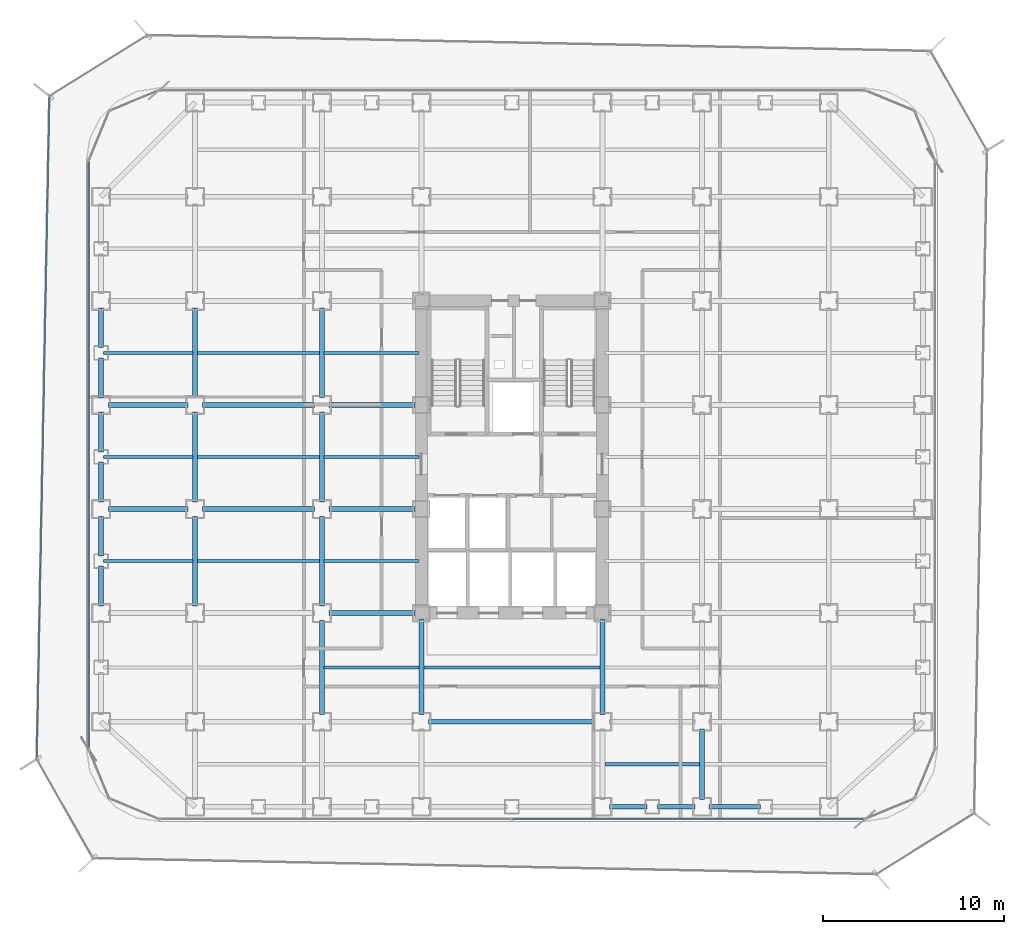
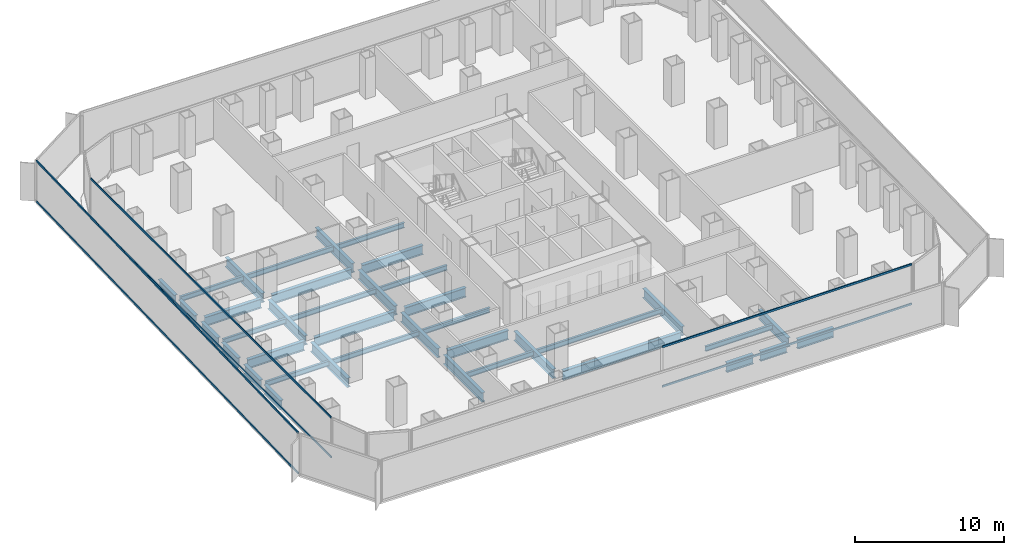
# One storey, part 5 of 21: 39 beams, 6 members, 3 elements without a shape of their own.
"""IFC4 building model written with IfcOpenShell, lengths in metres."""

from ifc_helpers import new_model, si_unit, direction, frame, origin, origin_2d, place, context, subcontext, project, spatial, hollow_rectangle, i_section, extrude, source, transform, mapped, material, layer, layer_set, material_profile, profile_set, type_object, element, aggregate, save


model = new_model("IFC4")

# Units and contexts
model_context = context("Model", 3, precision=1e-05, world=origin(), true_north=direction((0.0, 1.0)))
body_context = subcontext(model_context, "Body", "Model", "MODEL_VIEW")
ifc_project = project(units=[si_unit("LENGTHUNIT", "METRE"), si_unit("AREAUNIT", "SQUARE_METRE"), si_unit("VOLUMEUNIT", "CUBIC_METRE"), si_unit("PLANEANGLEUNIT", "RADIAN"), si_unit("MASSUNIT", "GRAM", prefix="KILO")], contexts=[model_context])

# Site, building, storey
site_placement = place(None, origin())
site = spatial("IfcSite", under=ifc_project, at=site_placement, CompositionType="ELEMENT")
building_placement = place(site_placement, origin())
building = spatial("IfcBuilding", under=site, at=building_placement, Name="Kolveth Station Tower", CompositionType="ELEMENT")
storey_placement = place(building_placement, frame((0.0, 0.0, 62.10009765625)))
storey = spatial("IfcBuildingStorey", under=building, at=storey_placement, Name="L16", CompositionType="ELEMENT", Elevation=62.10009765625)

# Beams
ifc_material_1 = material(Name="Steel S355", Category="steel")
ifc_material_profile_1 = material_profile(ifc_material_1, i_section(OverallWidth=0.26904296875, OverallDepth=0.77490234375, WebThickness=0.01708984375, FlangeThickness=0.0283203125, at=origin_2d()), Name="W760x220")
ifc_profile_set_1 = profile_set([ifc_material_profile_1], Name="Steel S355")
beam_type_1 = type_object("IfcBeamType", Name="Beam_SP1", PredefinedType="SPANDREL", material=ifc_profile_set_1)
shared_shape_1 = source(origin(), body_context, "Body", "SweptSolid", [
    extrude(i_section(OverallWidth=0.26904296875, OverallDepth=0.77490234375, WebThickness=0.01708984375, FlangeThickness=0.0283203125, at=origin_2d()), origin(), (0.0, 0.0, 1.0), 2.820068359375),
])
beam_1_placement = place(storey_placement, frame((34.39990234375, 0.800048828125, -0.66748046875), z_axis=(1.0, 0.0, 0.0), x_axis=(0.0, 1.0, 0.0)))
element("IfcBeam", 1, at=beam_1_placement, inside=storey, type_object=beam_type_1, Name="L16 Perimeter Spandrel BM-L16-PS-9", PredefinedType="SPANDREL", context=body_context, shape_type="MappedRepresentation", body=[
    mapped(shared_shape_1, transform((0.0, 0.0, 0.0), x_axis=(1.0, 0.0, 0.0), y_axis=(0.0, 1.0, 0.0), z_axis=(0.0, 0.0, 1.0), scale=1.0)),
])
shared_shape_2 = source(origin(), body_context, "Body", "SweptSolid", [
    extrude(i_section(OverallWidth=0.26904296875, OverallDepth=0.77490234375, WebThickness=0.01708984375, FlangeThickness=0.0283203125, at=origin_2d()), origin(), (0.0, 0.0, 1.0), 2.070068359375),
])
for number, where, z_axis, x_axis, name in (
    (2, (28.89990234375, 0.800048828125, -0.66748046875), (1.0, 0.0, 0.0), (0.0, 1.0, 0.0), "L16 Perimeter Spandrel BM-L16-PS-7"),
    (3, (31.530029296875, 0.800048828125, -0.66748046875), (1.0, 0.0, 0.0), (0.0, 1.0, 0.0), "L16 Perimeter Spandrel BM-L16-PS-8"),
):
    element("IfcBeam", number, at=place(storey_placement, frame(where, z_axis=z_axis, x_axis=x_axis)), inside=storey, type_object=beam_type_1, Name=name, PredefinedType="SPANDREL", context=body_context, shape_type="MappedRepresentation", body=[
        mapped(shared_shape_2, transform((0.0, 0.0, 0.0), x_axis=(1.0, 0.0, 0.0), y_axis=(0.0, 1.0, 0.0), z_axis=(0.0, 0.0, 1.0), scale=1.0)),
    ])
shared_shape_3 = source(origin(), body_context, "Body", "SweptSolid", [
    extrude(i_section(OverallWidth=0.26904296875, OverallDepth=0.77490234375, WebThickness=0.01708984375, FlangeThickness=0.0283203125, at=origin_2d()), origin(), (0.0, 0.0, 1.0), 2.2001953125),
])
for number, where, z_axis, x_axis, name in (
    (4, (0.800048828125, 11.89990234375, -0.66748046875), (0.0, 1.0, 0.0), (-1.0, 0.0, 0.0), "L16 Perimeter Spandrel BM-L16-PW-3"),
    (5, (0.800048828125, 20.39990234375, -0.66748046875), (0.0, 1.0, 0.0), (-1.0, 0.0, 0.0), "L16 Perimeter Spandrel BM-L16-PW-6"),
    (6, (0.800048828125, 23.39990234375, -0.66748046875), (0.0, 1.0, 0.0), (-1.0, 0.0, 0.0), "L16 Perimeter Spandrel BM-L16-PW-7"),
):
    element("IfcBeam", number, at=place(storey_placement, frame(where, z_axis=z_axis, x_axis=x_axis)), inside=storey, type_object=beam_type_1, Name=name, PredefinedType="SPANDREL", context=body_context, shape_type="MappedRepresentation", body=[
        mapped(shared_shape_3, transform((0.0, 0.0, 0.0), x_axis=(1.0, 0.0, 0.0), y_axis=(0.0, 1.0, 0.0), z_axis=(0.0, 0.0, 1.0), scale=1.0)),
    ])
shared_shape_4 = source(origin(), body_context, "Body", "SweptSolid", [
    extrude(i_section(OverallWidth=0.26904296875, OverallDepth=0.77490234375, WebThickness=0.01708984375, FlangeThickness=0.0283203125, at=origin_2d()), origin(), (0.0, 0.0, 1.0), 2.190185546875),
])
for number, where, z_axis, x_axis, name in (
    (7, (0.800048828125, 14.659912109375, -0.66748046875), (0.0, 1.0, 0.0), (-1.0, 0.0, 0.0), "L16 Perimeter Spandrel BM-L16-PW-4"),
    (8, (0.800048828125, 17.64990234375, -0.66748046875), (0.0, 1.0, 0.0), (-1.0, 0.0, 0.0), "L16 Perimeter Spandrel BM-L16-PW-5"),
    (9, (0.800048828125, 26.159912109375, -0.66748046875), (0.0, 1.0, 0.0), (-1.0, 0.0, 0.0), "L16 Perimeter Spandrel BM-L16-PW-8"),
):
    element("IfcBeam", number, at=place(storey_placement, frame(where, z_axis=z_axis, x_axis=x_axis)), inside=storey, type_object=beam_type_1, Name=name, PredefinedType="SPANDREL", context=body_context, shape_type="MappedRepresentation", body=[
        mapped(shared_shape_4, transform((0.0, 0.0, 0.0), x_axis=(1.0, 0.0, 0.0), y_axis=(0.0, 1.0, 0.0), z_axis=(0.0, 0.0, 1.0), scale=1.0)),
    ])
ifc_material_profile_2 = material_profile(ifc_material_1, i_section(OverallWidth=0.26708984375, OverallDepth=0.76611328125, WebThickness=0.014892578125, FlangeThickness=0.023681640625, at=origin_2d()), Name="W760x185")
ifc_profile_set_2 = profile_set([ifc_material_profile_2], Name="Steel S355")
beam_type_2 = type_object("IfcBeamType", Name="Beam_B3", PredefinedType="BEAM", material=ifc_profile_set_2)
shared_shape_5 = source(origin(), body_context, "Body", "SweptSolid", [
    extrude(i_section(OverallWidth=0.26708984375, OverallDepth=0.76611328125, WebThickness=0.014892578125, FlangeThickness=0.023681640625, at=origin_2d()), origin(), (0.0, 0.0, 1.0), 4.400146484375),
])
for number, where, z_axis, x_axis, name in (
    (10, (1.199951171875, 17.25, -0.6630859375), (1.0, 0.0, 0.0), (0.0, 1.0, 0.0), "L16 Primary Girder BM-L16-GY172-1"),
    (11, (1.199951171875, 23.0, -0.6630859375), (1.0, 0.0, 0.0), (0.0, 1.0, 0.0), "L16 Primary Girder BM-L16-GY230-1"),
):
    element("IfcBeam", number, at=place(storey_placement, frame(where, z_axis=z_axis, x_axis=x_axis)), inside=storey, type_object=beam_type_2, Name=name, PredefinedType="BEAM", context=body_context, shape_type="MappedRepresentation", body=[
        mapped(shared_shape_5, transform((0.0, 0.0, 0.0), x_axis=(1.0, 0.0, 0.0), y_axis=(0.0, 1.0, 0.0), z_axis=(0.0, 0.0, 1.0), scale=1.0)),
    ])
shared_shape_6 = source(origin(), body_context, "Body", "SweptSolid", [
    extrude(i_section(OverallWidth=0.26708984375, OverallDepth=0.76611328125, WebThickness=0.014892578125, FlangeThickness=0.023681640625, at=origin_2d()), origin(), (0.0, 0.0, 1.0), 6.2001953125),
])
for number, where, z_axis, x_axis, name in (
    (12, (6.39990234375, 17.25, -0.6630859375), (1.0, 0.0, 0.0), (0.0, 1.0, 0.0), "L16 Primary Girder BM-L16-GY172-2"),
    (13, (6.39990234375, 23.0, -0.6630859375), (1.0, 0.0, 0.0), (0.0, 1.0, 0.0), "L16 Primary Girder BM-L16-GY230-2"),
):
    element("IfcBeam", number, at=place(storey_placement, frame(where, z_axis=z_axis, x_axis=x_axis)), inside=storey, type_object=beam_type_2, Name=name, PredefinedType="BEAM", context=body_context, shape_type="MappedRepresentation", body=[
        mapped(shared_shape_6, transform((0.0, 0.0, 0.0), x_axis=(1.0, 0.0, 0.0), y_axis=(0.0, 1.0, 0.0), z_axis=(0.0, 0.0, 1.0), scale=1.0)),
    ])
shared_shape_7 = source(origin(), body_context, "Body", "SweptSolid", [
    extrude(i_section(OverallWidth=0.26708984375, OverallDepth=0.76611328125, WebThickness=0.014892578125, FlangeThickness=0.023681640625, at=origin_2d()), origin(), (0.0, 0.0, 1.0), 9.2001953125),
])
beam_2_placement = place(storey_placement, frame((18.89990234375, 5.5, -0.6630859375), z_axis=(1.0, 0.0, 0.0), x_axis=(0.0, 1.0, 0.0)))
element("IfcBeam", 14, at=beam_2_placement, inside=storey, type_object=beam_type_2, Name="L16 Primary Girder BM-L16-GY55-4", PredefinedType="BEAM", context=body_context, shape_type="MappedRepresentation", body=[
    mapped(shared_shape_7, transform((0.0, 0.0, 0.0), x_axis=(1.0, 0.0, 0.0), y_axis=(0.0, 1.0, 0.0), z_axis=(0.0, 0.0, 1.0), scale=1.0)),
])
shared_shape_8 = source(origin(), body_context, "Body", "SweptSolid", [
    extrude(i_section(OverallWidth=0.26708984375, OverallDepth=0.76611328125, WebThickness=0.014892578125, FlangeThickness=0.023681640625, at=origin_2d()), origin(), (0.0, 0.0, 1.0), 4.739990234375),
])
for number, where, z_axis, x_axis, name in (
    (15, (13.39990234375, 11.5, -0.6630859375), (1.0, 0.0, 0.0), (0.0, 1.0, 0.0), "L16 Primary Girder BM-L16-GY115-3"),
    (16, (13.39990234375, 17.25, -0.6630859375), (1.0, 0.0, 0.0), (0.0, 1.0, 0.0), "L16 Primary Girder BM-L16-GY172-3"),
    (17, (13.39990234375, 23.0, -0.6630859375), (1.0, 0.0, 0.0), (0.0, 1.0, 0.0), "L16 Primary Girder BM-L16-GY230-3"),
):
    element("IfcBeam", number, at=place(storey_placement, frame(where, z_axis=z_axis, x_axis=x_axis)), inside=storey, type_object=beam_type_2, Name=name, PredefinedType="BEAM", context=body_context, shape_type="MappedRepresentation", body=[
        mapped(shared_shape_8, transform((0.0, 0.0, 0.0), x_axis=(1.0, 0.0, 0.0), y_axis=(0.0, 1.0, 0.0), z_axis=(0.0, 0.0, 1.0), scale=1.0)),
    ])
shared_shape_9 = source(origin(), body_context, "Body", "SweptSolid", [
    extrude(i_section(OverallWidth=0.26708984375, OverallDepth=0.76611328125, WebThickness=0.014892578125, FlangeThickness=0.023681640625, at=origin_2d()), origin(), (0.0, 0.0, 1.0), 3.900146484375),
])
beam_3_placement = place(storey_placement, frame((34.0, 1.199951171875, -0.6630859375), z_axis=(0.0, 1.0, 0.0), x_axis=(-1.0, 0.0, 0.0)))
element("IfcBeam", 18, at=beam_3_placement, inside=storey, type_object=beam_type_2, Name="L16 Primary Girder BM-L16-GX340-1", PredefinedType="BEAM", context=body_context, shape_type="MappedRepresentation", body=[
    mapped(shared_shape_9, transform((0.0, 0.0, 0.0), x_axis=(1.0, 0.0, 0.0), y_axis=(0.0, 1.0, 0.0), z_axis=(0.0, 0.0, 1.0), scale=1.0)),
])
shared_shape_10 = source(origin(), body_context, "Body", "SweptSolid", [
    extrude(i_section(OverallWidth=0.26708984375, OverallDepth=0.76611328125, WebThickness=0.014892578125, FlangeThickness=0.023681640625, at=origin_2d()), origin(), (0.0, 0.0, 1.0), 5.2001953125),
])
beam_4_placement = place(storey_placement, frame((13.0, 5.89990234375, -0.6630859375), z_axis=(0.0, 1.0, 0.0), x_axis=(-1.0, 0.0, 0.0)))
element("IfcBeam", 19, at=beam_4_placement, inside=storey, type_object=beam_type_2, Name="L16 Primary Girder BM-L16-GX130-2", PredefinedType="BEAM", context=body_context, shape_type="MappedRepresentation", body=[
    mapped(shared_shape_10, transform((0.0, 0.0, 0.0), x_axis=(1.0, 0.0, 0.0), y_axis=(0.0, 1.0, 0.0), z_axis=(0.0, 0.0, 1.0), scale=1.0)),
])
shared_shape_11 = source(origin(), body_context, "Body", "SweptSolid", [
    extrude(i_section(OverallWidth=0.26708984375, OverallDepth=0.76611328125, WebThickness=0.014892578125, FlangeThickness=0.023681640625, at=origin_2d()), origin(), (0.0, 0.0, 1.0), 4.9501953125),
])
for number, where, z_axis, x_axis, name in (
    (20, (6.0, 11.89990234375, -0.6630859375), (0.0, 1.0, 0.0), (-1.0, 0.0, 0.0), "L16 Primary Girder BM-L16-GX60-3"),
    (21, (6.0, 17.64990234375, -0.6630859375), (0.0, 1.0, 0.0), (-1.0, 0.0, 0.0), "L16 Primary Girder BM-L16-GX60-4"),
    (22, (6.0, 23.39990234375, -0.6630859375), (0.0, 1.0, 0.0), (-1.0, 0.0, 0.0), "L16 Primary Girder BM-L16-GX60-5"),
    (23, (13.0, 11.89990234375, -0.6630859375), (0.0, 1.0, 0.0), (-1.0, 0.0, 0.0), "L16 Primary Girder BM-L16-GX130-3"),
    (24, (13.0, 17.64990234375, -0.6630859375), (0.0, 1.0, 0.0), (-1.0, 0.0, 0.0), "L16 Primary Girder BM-L16-GX130-4"),
    (25, (13.0, 23.39990234375, -0.6630859375), (0.0, 1.0, 0.0), (-1.0, 0.0, 0.0), "L16 Primary Girder BM-L16-GX130-5"),
):
    element("IfcBeam", number, at=place(storey_placement, frame(where, z_axis=z_axis, x_axis=x_axis)), inside=storey, type_object=beam_type_2, Name=name, PredefinedType="BEAM", context=body_context, shape_type="MappedRepresentation", body=[
        mapped(shared_shape_11, transform((0.0, 0.0, 0.0), x_axis=(1.0, 0.0, 0.0), y_axis=(0.0, 1.0, 0.0), z_axis=(0.0, 0.0, 1.0), scale=1.0)),
    ])
shared_shape_12 = source(origin(), body_context, "Body", "SweptSolid", [
    extrude(i_section(OverallWidth=0.26708984375, OverallDepth=0.76611328125, WebThickness=0.014892578125, FlangeThickness=0.023681640625, at=origin_2d()), origin(), (0.0, 0.0, 1.0), 5.239990234375),
])
for number, where, z_axis, x_axis, name in (
    (26, (18.5, 5.89990234375, -0.6630859375), (0.0, 1.0, 0.0), (-1.0, 0.0, 0.0), "L16 Primary Girder BM-L16-GX185-2"),
    (27, (28.5, 5.89990234375, -0.6630859375), (0.0, 1.0, 0.0), (-1.0, 0.0, 0.0), "L16 Primary Girder BM-L16-GX285-2"),
):
    element("IfcBeam", number, at=place(storey_placement, frame(where, z_axis=z_axis, x_axis=x_axis)), inside=storey, type_object=beam_type_2, Name=name, PredefinedType="BEAM", context=body_context, shape_type="MappedRepresentation", body=[
        mapped(shared_shape_12, transform((0.0, 0.0, 0.0), x_axis=(1.0, 0.0, 0.0), y_axis=(0.0, 1.0, 0.0), z_axis=(0.0, 0.0, 1.0), scale=1.0)),
    ])
ifc_material_profile_3 = material_profile(ifc_material_1, i_section(OverallWidth=0.177978515625, OverallDepth=0.406982421875, WebThickness=0.0078125, FlangeThickness=0.0126953125, at=origin_2d()), Name="W410x60")
ifc_profile_set_3 = profile_set([ifc_material_profile_3], Name="Steel S355")
beam_type_3 = type_object("IfcBeamType", Name="Beam_J1", PredefinedType="JOIST", material=ifc_profile_set_3)
shared_shape_13 = source(origin(), body_context, "Body", "SweptSolid", [
    extrude(i_section(OverallWidth=0.177978515625, OverallDepth=0.406982421875, WebThickness=0.0078125, FlangeThickness=0.0126953125, at=origin_2d()), origin(), (0.0, 0.0, 1.0), 4.935791015625),
])
for number, where, z_axis, x_axis, name in (
    (28, (0.9326171875, 14.375, -0.483642578125), (1.0, 0.0, 0.0), (0.0, 1.0, 0.0), "L16 Secondary Joist JST-L16-1-3"),
    (29, (0.9326171875, 20.125, -0.483642578125), (1.0, 0.0, 0.0), (0.0, 1.0, 0.0), "L16 Secondary Joist JST-L16-1-4"),
    (30, (0.9326171875, 25.875, -0.483642578125), (1.0, 0.0, 0.0), (0.0, 1.0, 0.0), "L16 Secondary Joist JST-L16-1-5"),
):
    element("IfcBeam", number, at=place(storey_placement, frame(where, z_axis=z_axis, x_axis=x_axis)), inside=storey, type_object=beam_type_3, Name=name, PredefinedType="JOIST", context=body_context, shape_type="MappedRepresentation", body=[
        mapped(shared_shape_13, transform((0.0, 0.0, 0.0), x_axis=(1.0, 0.0, 0.0), y_axis=(0.0, 1.0, 0.0), z_axis=(0.0, 0.0, 1.0), scale=1.0)),
    ])
shared_shape_14 = source(origin(), body_context, "Body", "SweptSolid", [
    extrude(i_section(OverallWidth=0.177978515625, OverallDepth=0.406982421875, WebThickness=0.0078125, FlangeThickness=0.0126953125, at=origin_2d()), origin(), (0.0, 0.0, 1.0), 6.73681640625),
])
for number, where, z_axis, x_axis, name in (
    (31, (6.131591796875, 14.375, -0.483642578125), (1.0, 0.0, 0.0), (0.0, 1.0, 0.0), "L16 Secondary Joist JST-L16-2-3"),
    (32, (6.131591796875, 20.125, -0.483642578125), (1.0, 0.0, 0.0), (0.0, 1.0, 0.0), "L16 Secondary Joist JST-L16-2-4"),
    (33, (6.131591796875, 25.875, -0.483642578125), (1.0, 0.0, 0.0), (0.0, 1.0, 0.0), "L16 Secondary Joist JST-L16-2-5"),
):
    element("IfcBeam", number, at=place(storey_placement, frame(where, z_axis=z_axis, x_axis=x_axis)), inside=storey, type_object=beam_type_3, Name=name, PredefinedType="JOIST", context=body_context, shape_type="MappedRepresentation", body=[
        mapped(shared_shape_14, transform((0.0, 0.0, 0.0), x_axis=(1.0, 0.0, 0.0), y_axis=(0.0, 1.0, 0.0), z_axis=(0.0, 0.0, 1.0), scale=1.0)),
    ])
shared_shape_15 = source(origin(), body_context, "Body", "SweptSolid", [
    extrude(i_section(OverallWidth=0.177978515625, OverallDepth=0.406982421875, WebThickness=0.0078125, FlangeThickness=0.0126953125, at=origin_2d()), origin(), (0.0, 0.0, 1.0), 5.23681640625),
])
for number, where, z_axis, x_axis, name in (
    (34, (13.131591796875, 8.5, -0.483642578125), (1.0, 0.0, 0.0), (0.0, 1.0, 0.0), "L16 Secondary Joist JST-L16-3-2"),
    (35, (13.131591796875, 14.375, -0.483642578125), (1.0, 0.0, 0.0), (0.0, 1.0, 0.0), "L16 Secondary Joist JST-L16-3-3"),
    (36, (13.131591796875, 20.125, -0.483642578125), (1.0, 0.0, 0.0), (0.0, 1.0, 0.0), "L16 Secondary Joist JST-L16-3-4"),
    (37, (13.131591796875, 25.875, -0.483642578125), (1.0, 0.0, 0.0), (0.0, 1.0, 0.0), "L16 Secondary Joist JST-L16-3-5"),
    (38, (28.631591796875, 3.14990234375, -0.483642578125), (1.0, 0.0, 0.0), (0.0, 1.0, 0.0), "L16 Secondary Joist JST-L16-5-1"),
):
    element("IfcBeam", number, at=place(storey_placement, frame(where, z_axis=z_axis, x_axis=x_axis)), inside=storey, type_object=beam_type_3, Name=name, PredefinedType="JOIST", context=body_context, shape_type="MappedRepresentation", body=[
        mapped(shared_shape_15, transform((0.0, 0.0, 0.0), x_axis=(1.0, 0.0, 0.0), y_axis=(0.0, 1.0, 0.0), z_axis=(0.0, 0.0, 1.0), scale=1.0)),
    ])
shared_shape_16 = source(origin(), body_context, "Body", "SweptSolid", [
    extrude(i_section(OverallWidth=0.177978515625, OverallDepth=0.406982421875, WebThickness=0.0078125, FlangeThickness=0.0126953125, at=origin_2d()), origin(), (0.0, 0.0, 1.0), 9.73681640625),
])
beam_5_placement = place(storey_placement, frame((18.631591796875, 8.5, -0.483642578125), z_axis=(1.0, 0.0, 0.0), x_axis=(0.0, 1.0, 0.0)))
element("IfcBeam", 39, at=beam_5_placement, inside=storey, type_object=beam_type_3, Name="L16 Secondary Joist JST-L16-4-2", PredefinedType="JOIST", context=body_context, shape_type="MappedRepresentation", body=[
    mapped(shared_shape_16, transform((0.0, 0.0, 0.0), x_axis=(1.0, 0.0, 0.0), y_axis=(0.0, 1.0, 0.0), z_axis=(0.0, 0.0, 1.0), scale=1.0)),
])

# Curtain wall, members
ifc_material_2 = material(Name="Aluminium 6063-T6 and low-E dark glass", Category="aluminium")
ifc_layer_1 = layer(ifc_material_2, 0.179931640625)
ifc_layer_set_1 = layer_set([ifc_layer_1], Name="Aluminium 6063-T6 and low-E dark glass")
curtain_wall_type_1 = type_object("IfcCurtainWallType", Name="CurtainWall_CW-Z1", PredefinedType="NOTDEFINED", material=ifc_layer_set_1)
curtain_wall_1_placement = place(storey_placement, origin())
curtain_wall_1 = element("IfcCurtainWall", 40, at=curtain_wall_1_placement, inside=storey, type_object=curtain_wall_type_1, Name="L16 Inner Thermal Curtain Wall 9", PredefinedType="NOTDEFINED")
ifc_material_3 = material(Name="Black anodized aluminium 6063-T6", Category="aluminium")
ifc_material_profile_4 = material_profile(ifc_material_3, hollow_rectangle(XDim=0.074951171875, YDim=0.159912109375, WallThickness=0.0048828125, at=origin_2d()), Name="ALU-75x160x5")
ifc_profile_set_4 = profile_set([ifc_material_profile_4], Name="Black anodized aluminium 6063-T6")
member_type_1 = type_object("IfcMemberType", Name="Transom_TR1", PredefinedType="USERDEFINED", material=ifc_profile_set_4)
shared_shape_17 = source(origin(), body_context, "Body", "SweptSolid", [
    extrude(hollow_rectangle(XDim=0.074951171875, YDim=0.159912109375, WallThickness=0.0048828125, at=origin_2d()), origin(), (0.0, 0.0, 1.0), 32.35009765625),
])
member_1_placement = place(storey_placement, frame((0.1201171875, 36.425048828125, 0.037353515625), z_axis=(0.0, -1.0, 0.0), x_axis=(1.0, 0.0, 0.0)))
member_1 = element("IfcMember", 41, at=member_1_placement, type_object=member_type_1, Name="CW-Z1 transom 1.1", ObjectType="TRANSOM", PredefinedType="USERDEFINED", context=body_context, shape_type="MappedRepresentation", body=[
    mapped(shared_shape_17, transform((0.0, 0.0, 0.0), x_axis=(1.0, 0.0, 0.0), y_axis=(0.0, 1.0, 0.0), z_axis=(0.0, 0.0, 1.0), scale=1.0)),
])
member_2_placement = place(storey_placement, frame((0.1201171875, 36.425048828125, 3.282470703125), z_axis=(0.0, -1.0, 0.0), x_axis=(1.0, 0.0, 0.0)))
member_2 = element("IfcMember", 42, at=member_2_placement, type_object=member_type_1, Name="CW-Z1 transom 1.2", ObjectType="TRANSOM", PredefinedType="USERDEFINED", context=body_context, shape_type="MappedRepresentation", body=[
    mapped(shared_shape_17, transform((0.0, 0.0, 0.0), x_axis=(1.0, 0.0, 0.0), y_axis=(0.0, 1.0, 0.0), z_axis=(0.0, 0.0, 1.0), scale=1.0)),
])
aggregate(curtain_wall_1, [member_1, member_2])

curtain_wall_2_placement = place(storey_placement, origin())
curtain_wall_2 = element("IfcCurtainWall", 43, at=curtain_wall_2_placement, inside=storey, type_object=curtain_wall_type_1, Name="L16 Inner Thermal Curtain Wall 12", PredefinedType="NOTDEFINED")
shared_shape_18 = source(origin(), body_context, "Body", "SweptSolid", [
    extrude(hollow_rectangle(XDim=0.074951171875, YDim=0.159912109375, WallThickness=0.0048828125, at=origin_2d()), origin(), (0.0, 0.0, 1.0), 19.387451171875),
])
member_3_placement = place(storey_placement, frame((23.53759765625, 0.1201171875, 0.037353515625), z_axis=(1.0, 0.0, 0.0), x_axis=(0.0, 1.0, 0.0)))
member_3 = element("IfcMember", 44, at=member_3_placement, type_object=member_type_1, Name="CW-Z1 transom 2.1", ObjectType="TRANSOM", PredefinedType="USERDEFINED", context=body_context, shape_type="MappedRepresentation", body=[
    mapped(shared_shape_18, transform((0.0, 0.0, 0.0), x_axis=(1.0, 0.0, 0.0), y_axis=(0.0, 1.0, 0.0), z_axis=(0.0, 0.0, 1.0), scale=1.0)),
])
member_4_placement = place(storey_placement, frame((23.53759765625, 0.1201171875, 3.282470703125), z_axis=(1.0, 0.0, 0.0), x_axis=(0.0, 1.0, 0.0)))
member_4 = element("IfcMember", 45, at=member_4_placement, type_object=member_type_1, Name="CW-Z1 transom 2.2", ObjectType="TRANSOM", PredefinedType="USERDEFINED", context=body_context, shape_type="MappedRepresentation", body=[
    mapped(shared_shape_18, transform((0.0, 0.0, 0.0), x_axis=(1.0, 0.0, 0.0), y_axis=(0.0, 1.0, 0.0), z_axis=(0.0, 0.0, 1.0), scale=1.0)),
])
aggregate(curtain_wall_2, [member_3, member_4])

ifc_material_4 = material(Name="Black anodized aluminium 6063-T6 and dark solar glass", Category="aluminium")
ifc_layer_2 = layer(ifc_material_4, 0.159912109375)
ifc_layer_set_2 = layer_set([ifc_layer_2], Name="Black anodized aluminium 6063-T6 and dark solar glass")
curtain_wall_type_2 = type_object("IfcCurtainWallType", Name="OUTER SKIN CW-OS", PredefinedType="NOTDEFINED", material=ifc_layer_set_2)
curtain_wall_3_placement = place(storey_placement, origin())
curtain_wall_3 = element("IfcCurtainWall", 46, at=curtain_wall_3_placement, inside=storey, type_object=curtain_wall_type_2, Name="L16 Outer Ventilated Skin Curtain Wall 6", PredefinedType="NOTDEFINED")
ifc_material_profile_5 = material_profile(ifc_material_3, hollow_rectangle(XDim=0.080078125, YDim=0.14990234375, WallThickness=0.0048828125, at=origin_2d()), Name="ALU-80x150x5")
ifc_profile_set_5 = profile_set([ifc_material_profile_5], Name="Black anodized aluminium 6063-T6")
member_type_2 = type_object("IfcMemberType", Name="Transom_TR-OS", PredefinedType="USERDEFINED", material=ifc_profile_set_5)
shared_shape_19 = source(origin(), body_context, "Body", "SweptSolid", [
    extrude(hollow_rectangle(XDim=0.080078125, YDim=0.14990234375, WallThickness=0.0048828125, at=origin_2d()), origin(), (0.0, 0.0, 1.0), 36.442138671875),
])
member_5_placement = place(storey_placement, frame((-2.048095703125, 39.971435546875, 0.039794921875), z_axis=(-0.019106669593, -0.999817450926, 0.0), x_axis=(0.999817450926, -0.019106669593, 0.0)))
member_5 = element("IfcMember", 47, at=member_5_placement, type_object=member_type_2, Name="CW-OS transom 1.1", ObjectType="TRANSOM", PredefinedType="USERDEFINED", context=body_context, shape_type="MappedRepresentation", body=[
    mapped(shared_shape_19, transform((0.0, 0.0, 0.0), x_axis=(1.0, 0.0, 0.0), y_axis=(0.0, 1.0, 0.0), z_axis=(0.0, 0.0, 1.0), scale=1.0)),
])
member_6_placement = place(storey_placement, frame((-2.048095703125, 39.971435546875, 3.349853515625), z_axis=(-0.019106669593, -0.999817450926, 0.0), x_axis=(0.999817450926, -0.019106669593, 0.0)))
member_6 = element("IfcMember", 48, at=member_6_placement, type_object=member_type_2, Name="CW-OS transom 1.2", ObjectType="TRANSOM", PredefinedType="USERDEFINED", context=body_context, shape_type="MappedRepresentation", body=[
    mapped(shared_shape_19, transform((0.0, 0.0, 0.0), x_axis=(1.0, 0.0, 0.0), y_axis=(0.0, 1.0, 0.0), z_axis=(0.0, 0.0, 1.0), scale=1.0)),
])
aggregate(curtain_wall_3, [member_5, member_6])

save(model, "model.ifc")
